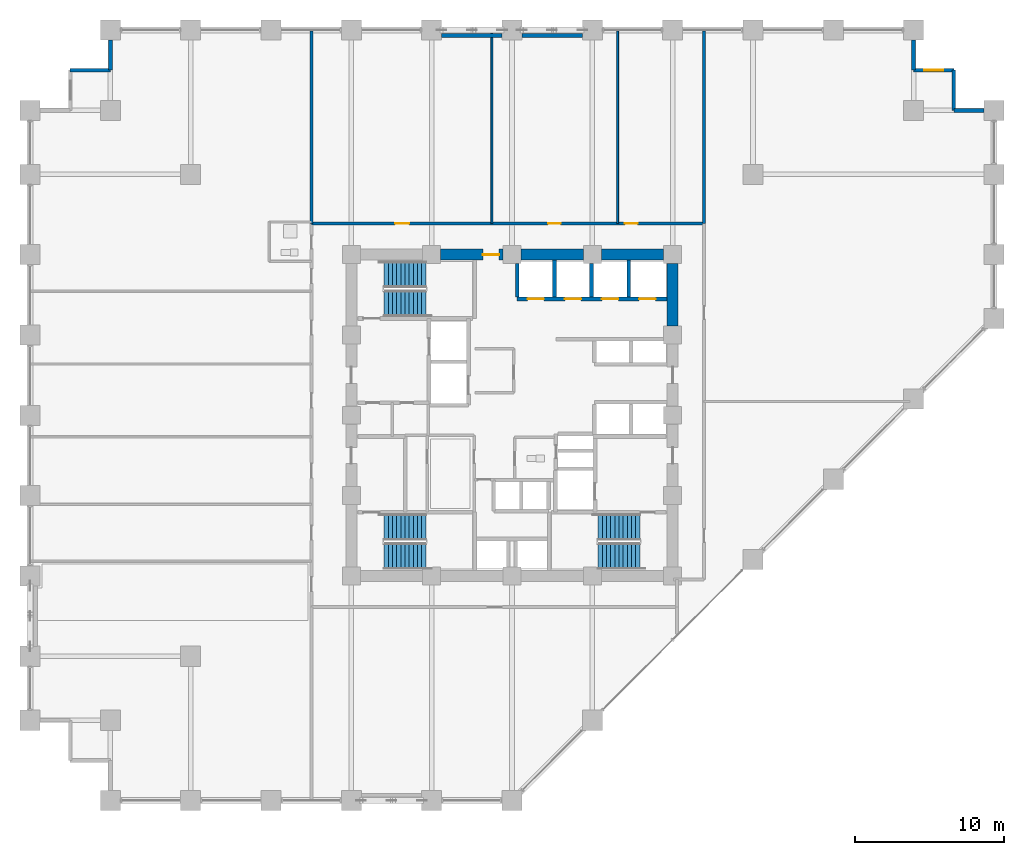
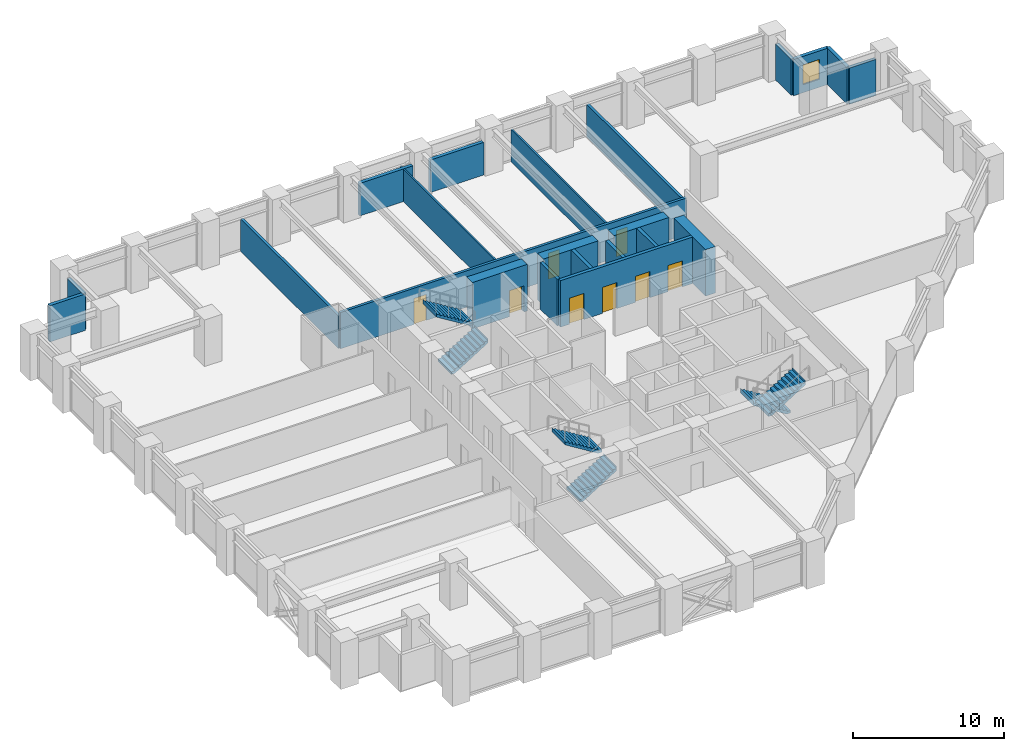
# One storey, part 22 of 25: 22 walls, 8 doors, 6 stair flights, 1 window, 9 openings, 3 elements without a shape of their own.
"""IFC4 building model written with IfcOpenShell, lengths in metres."""

from ifc_helpers import new_model, si_unit, direction, frame, frame_2d, origin, place, context, subcontext, project, spatial, polyline, rectangle, outline, extrude, material, layer, layer_set, type_object, element, fill, aggregate, save


model = new_model("IFC4")

# Units and contexts
model_context = context("Model", 3, precision=1e-05, world=origin(), true_north=direction((0.0, 1.0)))
body_context = subcontext(model_context, "Body", "Model", "MODEL_VIEW")
ifc_project = project(units=[si_unit("LENGTHUNIT", "METRE"), si_unit("AREAUNIT", "SQUARE_METRE"), si_unit("VOLUMEUNIT", "CUBIC_METRE"), si_unit("PLANEANGLEUNIT", "RADIAN"), si_unit("MASSUNIT", "GRAM", prefix="KILO")], contexts=[model_context])

# Site, building, storey
site_placement = place(None, origin())
site = spatial("IfcSite", under=ifc_project, at=site_placement, CompositionType="ELEMENT")
building_placement = place(site_placement, origin())
building = spatial("IfcBuilding", under=site, at=building_placement, Name="Surkhivell Harbour Commons", CompositionType="ELEMENT")
storey_placement = place(building_placement, frame((0.0, 0.0, 37.5)))
storey = spatial("IfcBuildingStorey", under=building, at=storey_placement, Name="L09", CompositionType="ELEMENT", Elevation=37.5)

# Wall, opening, door
ifc_material_1 = material(Name="Concrete C60/75", Category="concrete")
ifc_layer_1 = layer(ifc_material_1, 0.75)
ifc_layer_set_1 = layer_set([ifc_layer_1], Name="Concrete C60/75")
wall_type_1 = type_object("IfcWallType", Name="WAL-CORE-750", PredefinedType="SHEAR", material=ifc_layer_set_1)
wall_1_placement = place(storey_placement, frame((-4.7900390625, 10.800048828125, 0.0), z_axis=(0.0, 0.0, 1.0), x_axis=(1.0, 0.0, 0.0)))
wall_1 = element("IfcWall", 1, at=wall_1_placement, inside=storey, type_object=wall_type_1, Name="L09 Core Shear Wall North 2", PredefinedType="SHEAR", context=body_context, shape_type="SweptSolid", body=[
    extrude(rectangle(XDim=4.179931640625, YDim=0.75, at=frame_2d((2.08984375, 0.0))), origin(), (0.0, 0.0, 1.0), 3.75),
])
opening_1_placement = place(wall_1_placement, frame((2.830078125, 0.0, 0.0)))
opening_1 = element("IfcOpeningElement", 2, at=opening_1_placement, cuts=wall_1, Name="Opening ID-2", PredefinedType="OPENING", context=body_context, shape_type="SweptSolid", body=[
    extrude(rectangle(XDim=1.10009765625, YDim=2.10009765625, at=frame_2d((0.550048828125, 1.050048828125))), frame((0.0, 0.385009765625, 0.0), z_axis=(0.0, -1.0, 0.0), x_axis=(1.0, 0.0, 0.0)), (0.0, 0.0, 1.0), 0.77001953125),
])
ifc_material_2 = material(Name="Hardwood-veneered fire-rated door leaf", Category="wood")
door_type_1 = type_object("IfcDoorType", Name="DOR-FD60-1100", OperationType="NOTDEFINED", PredefinedType="DOOR", material=ifc_material_2)
door_1_placement = place(opening_1_placement, origin())
door_1 = element("IfcDoor", 3, at=door_1_placement, inside=storey, type_object=door_type_1, Name="L09 Central Core Lift Hall North Corridor Door", OperationType="SINGLE_SWING_LEFT", OverallHeight=2.10009765625, OverallWidth=1.10009765625, PredefinedType="DOOR", context=body_context, shape_type="SweptSolid", body=[
    extrude(rectangle(XDim=1.10009765625, YDim=2.10009765625, at=frame_2d((0.550048828125, 1.050048828125))), frame((0.0, 0.02490234375, 0.0), z_axis=(0.0, -1.0, 0.0), x_axis=(1.0, 0.0, 0.0)), (0.0, 0.0, 1.0), 0.050048828125),
])
fill(opening_1, door_1)

# Walls
for number, where, z_axis, x_axis, name in (
    (4, (0.610107421875, 10.800048828125, 0.0), (0.0, 0.0, 1.0), (1.0, 0.0, 0.0), "L09 Core Shear Wall North 3"),
    (5, (6.010009765625, 10.800048828125, 0.0), (0.0, 0.0, 1.0), (1.0, 0.0, 0.0), "L09 Core Shear Wall North 4"),
    (6, (10.800048828125, 6.010009765625, 0.0), (0.0, 0.0, 1.0), (0.0, 1.0, 0.0), "L09 Core Shear Wall East 4"),
):
    element("IfcWall", number, at=place(storey_placement, frame(where, z_axis=z_axis, x_axis=x_axis)), inside=storey, type_object=wall_type_1, Name=name, PredefinedType="SHEAR", context=body_context, shape_type="SweptSolid", body=[
        extrude(rectangle(XDim=4.179931640625, YDim=0.75, at=frame_2d((2.08984375, 0.0))), origin(), (0.0, 0.0, 1.0), 3.75),
    ])
ifc_material_3 = material(Name="Pale-metal insulated precast concrete C45/55", Category="concrete")
ifc_layer_2 = layer(ifc_material_3, 0.260009765625)
ifc_layer_set_2 = layer_set([ifc_layer_2], Name="Pale-metal insulated precast concrete C45/55")
wall_type_2 = type_object("IfcWallType", Name="WAL-EXT-MTL260", PredefinedType="STANDARD", material=ifc_layer_set_2)
wall_2_placement = place(storey_placement, frame((31.72705078125, 20.5, 0.0), z_axis=(0.0, 0.0, 1.0), x_axis=(-1.0, 0.0, 0.0)))
element("IfcWall", 7, at=wall_2_placement, inside=storey, type_object=wall_type_2, Name="L09 Serrated Corner Facade Wall 03", PredefinedType="STANDARD", context=body_context, shape_type="SweptSolid", body=[
    extrude(rectangle(XDim=2.027099609375, YDim=0.260009765625, at=frame_2d((1.013671875, 0.0))), origin(), (0.0, 0.0, 1.0), 2.929931640625),
])
wall_3_placement = place(storey_placement, frame((29.699951171875, 20.5, 0.0), z_axis=(0.0, 0.0, 1.0), x_axis=(0.0, 1.0, 0.0)))
element("IfcWall", 8, at=wall_3_placement, inside=storey, type_object=wall_type_2, Name="L09 Serrated Corner Facade Wall 04", PredefinedType="STANDARD", context=body_context, shape_type="SweptSolid", body=[
    extrude(rectangle(XDim=2.699951171875, YDim=0.260009765625, at=frame_2d((1.35009765625, 0.0))), origin(), (0.0, 0.0, 1.0), 2.929931640625),
])

# Wall, opening, window
wall_4_placement = place(storey_placement, frame((29.699951171875, 23.199951171875, 0.0), z_axis=(0.0, 0.0, 1.0), x_axis=(-1.0, 0.0, 0.0)))
wall_4 = element("IfcWall", 9, at=wall_4_placement, inside=storey, type_object=wall_type_2, Name="L09 Serrated Corner Facade Wall 05", PredefinedType="STANDARD", context=body_context, shape_type="SweptSolid", body=[
    extrude(rectangle(XDim=2.699951171875, YDim=0.260009765625, at=frame_2d((1.35009765625, 0.0))), origin(), (0.0, 0.0, 1.0), 2.929931640625),
])
opening_2_placement = place(wall_4_placement, frame((0.72509765625, 0.0, 0.64990234375)))
opening_2 = element("IfcOpeningElement", 10, at=opening_2_placement, cuts=wall_4, Name="Opening WN-09", PredefinedType="OPENING", context=body_context, shape_type="SweptSolid", body=[
    extrude(rectangle(XDim=1.25, YDim=1.60009765625, at=frame_2d((0.625, 0.800048828125))), frame((0.0, 0.139892578125, 0.0), z_axis=(0.0, -1.0, 0.0), x_axis=(1.0, 0.0, 0.0)), (0.0, 0.0, 1.0), 0.280029296875),
])
ifc_material_4 = material(Name="Thermal-break aluminium frame and double low-E glazing", Category="aluminium")
window_type = type_object("IfcWindowType", Name="WIN-SER-1250x1600", PartitioningType="SINGLE_PANEL", PredefinedType="WINDOW", material=ifc_material_4)
window_placement = place(opening_2_placement, origin())
window = element("IfcWindow", 11, at=window_placement, inside=storey, type_object=window_type, Name="L09 Serrated Alcove Window 05", OverallHeight=1.60009765625, OverallWidth=1.25, PartitioningType="SINGLE_PANEL", PredefinedType="WINDOW", context=body_context, shape_type="SweptSolid", body=[
    extrude(rectangle(XDim=1.25, YDim=1.60009765625, at=frame_2d((0.625, 0.800048828125))), frame((0.0, 0.030029296875, 0.0), z_axis=(0.0, -1.0, 0.0), x_axis=(1.0, 0.0, 0.0)), (0.0, 0.0, 1.0), 0.06005859375),
])
fill(opening_2, window)

# Walls
wall_5_placement = place(storey_placement, frame((27.0, 23.199951171875, 0.0), z_axis=(0.0, 0.0, 1.0), x_axis=(0.0, 1.0, 0.0)))
element("IfcWall", 12, at=wall_5_placement, inside=storey, type_object=wall_type_2, Name="L09 Serrated Corner Facade Wall 06", PredefinedType="STANDARD", context=body_context, shape_type="SweptSolid", body=[
    extrude(rectangle(XDim=2.027099609375, YDim=0.260009765625, at=frame_2d((1.013671875, 0.0))), origin(), (0.0, 0.0, 1.0), 2.929931640625),
])
for number, where, z_axis, x_axis, name in (
    (13, (-0.673095703125, 25.5400390625, 0.0), (0.0, 0.0, 1.0), (-1.0, 0.0, 0.0), "L09 Braced-Bay Insulated Spandrel Backing N"),
    (14, (4.72705078125, 25.5400390625, 0.0), (0.0, 0.0, 1.0), (-1.0, 0.0, 0.0), "L09 Braced-Bay Insulated Spandrel Backing N2"),
):
    element("IfcWall", number, at=place(storey_placement, frame(where, z_axis=z_axis, x_axis=x_axis)), inside=storey, type_object=wall_type_2, Name=name, PredefinedType="STANDARD", context=body_context, shape_type="SweptSolid", body=[
        extrude(rectangle(XDim=4.053955078125, YDim=0.260009765625, at=frame_2d((2.02685546875, 0.0))), origin(), (0.0, 0.0, 1.0), 2.62890625),
    ])
wall_6_placement = place(storey_placement, frame((-27.0, 25.22705078125, 0.0), z_axis=(0.0, 0.0, 1.0), x_axis=(0.0, -1.0, 0.0)))
element("IfcWall", 15, at=wall_6_placement, inside=storey, type_object=wall_type_2, Name="L09 Serrated Corner Facade Wall 08", PredefinedType="STANDARD", context=body_context, shape_type="SweptSolid", body=[
    extrude(rectangle(XDim=2.027099609375, YDim=0.260009765625, at=frame_2d((1.013671875, 0.0))), origin(), (0.0, 0.0, 1.0), 2.929931640625),
])
wall_7_placement = place(storey_placement, frame((-27.0, 23.199951171875, 0.0), z_axis=(0.0, 0.0, 1.0), x_axis=(-1.0, 0.0, 0.0)))
element("IfcWall", 16, at=wall_7_placement, inside=storey, type_object=wall_type_2, Name="L09 Serrated Corner Facade Wall 09", PredefinedType="STANDARD", context=body_context, shape_type="SweptSolid", body=[
    extrude(rectangle(XDim=2.699951171875, YDim=0.260009765625, at=frame_2d((1.35009765625, 0.0))), origin(), (0.0, 0.0, 1.0), 2.929931640625),
])
ifc_material_5 = material(Name="Moisture-resistant acoustic stud partition", Category="other")
ifc_layer_3 = layer(ifc_material_5, 0.125)
ifc_layer_set_3 = layer_set([ifc_layer_3], Name="Moisture-resistant acoustic stud partition")
wall_type_3 = type_object("IfcWallType", Name="WAL-INT-125", PredefinedType="PARTITIONING", material=ifc_layer_set_3)
for number, where, z_axis, x_axis, name in (
    (17, (-1.35009765625, 12.89990234375, 0.0), (0.0, 0.0, 1.0), (0.0, 1.0, 0.0), "L09 North Partition P1"),
    (18, (7.10009765625, 12.89990234375, 0.0), (0.0, 0.0, 1.0), (0.0, 1.0, 0.0), "L09 North Partition P2"),
):
    element("IfcWall", number, at=place(storey_placement, frame(where, z_axis=z_axis, x_axis=x_axis)), inside=storey, type_object=wall_type_3, Name=name, PredefinedType="PARTITIONING", context=body_context, shape_type="SweptSolid", body=[
        extrude(rectangle(XDim=12.940185546875, YDim=0.125, at=frame_2d((6.47021484375, 0.0))), origin(), (0.0, 0.0, 1.0), 2.62890625),
    ])
ifc_material_6 = material(Name="Autoclaved aerated concrete blockwork and fire plaster", Category="masonry")
ifc_layer_4 = layer(ifc_material_6, 0.199951171875)
ifc_layer_set_4 = layer_set([ifc_layer_4], Name="Autoclaved aerated concrete blockwork and fire plaster")
wall_type_4 = type_object("IfcWallType", Name="WAL-INT-200", PredefinedType="PARTITIONING", material=ifc_layer_set_4)
for number, where, z_axis, x_axis, name in (
    (19, (12.89990234375, 12.89990234375, 0.0), (0.0, 0.0, 1.0), (0.0, 1.0, 0.0), "L09 North-East Wing Corner Divider"),
    (20, (-13.47998046875, 12.89990234375, 0.0), (0.0, 0.0, 1.0), (0.0, 1.0, 0.0), "L09 North-West Wing Corner Divider"),
):
    element("IfcWall", number, at=place(storey_placement, frame(where, z_axis=z_axis, x_axis=x_axis)), inside=storey, type_object=wall_type_4, Name=name, PredefinedType="PARTITIONING", context=body_context, shape_type="SweptSolid", body=[
        extrude(rectangle(XDim=12.940185546875, YDim=0.199951171875, at=frame_2d((6.47021484375, 0.0))), origin(), (0.0, 0.0, 1.0), 2.62890625),
    ])

# Wall, openings, doors
wall_8_placement = place(storey_placement, frame((-13.47998046875, 12.89990234375, 0.0), z_axis=(0.0, 0.0, 1.0), x_axis=(1.0, 0.0, 0.0)))
wall_8 = element("IfcWall", 21, at=wall_8_placement, inside=storey, type_object=wall_type_4, Name="L09 Corridor North Wall", PredefinedType="PARTITIONING", context=body_context, shape_type="SweptSolid", body=[
    extrude(rectangle(XDim=26.3798828125, YDim=0.199951171875, at=frame_2d((13.18994140625, 0.0))), origin(), (0.0, 0.0, 1.0), 2.929931640625),
])
opening_3_placement = place(wall_8_placement, frame((5.614990234375, 0.0, 0.0)))
opening_3 = element("IfcOpeningElement", 22, at=opening_3_placement, cuts=wall_8, Name="Opening ID-4", PredefinedType="OPENING", context=body_context, shape_type="SweptSolid", body=[
    extrude(rectangle(XDim=0.949951171875, YDim=2.10009765625, at=frame_2d((0.47509765625, 1.050048828125))), frame((0.0, 0.10986328125, 0.0), z_axis=(0.0, -1.0, 0.0), x_axis=(1.0, 0.0, 0.0)), (0.0, 0.0, 1.0), 0.219970703125),
])
opening_4_placement = place(wall_8_placement, frame((15.905029296875, 0.0, 0.0)))
opening_4 = element("IfcOpeningElement", 23, at=opening_4_placement, cuts=wall_8, Name="Opening ID-6", PredefinedType="OPENING", context=body_context, shape_type="SweptSolid", body=[
    extrude(rectangle(XDim=0.85009765625, YDim=2.10009765625, at=frame_2d((0.425048828125, 1.050048828125))), frame((0.0, 0.10986328125, 0.0), z_axis=(0.0, -1.0, 0.0), x_axis=(1.0, 0.0, 0.0)), (0.0, 0.0, 1.0), 0.219970703125),
])
opening_5_placement = place(wall_8_placement, frame((21.069091796875, 0.0, 0.0)))
opening_5 = element("IfcOpeningElement", 24, at=opening_5_placement, cuts=wall_8, Name="Opening ID-6", PredefinedType="OPENING", context=body_context, shape_type="SweptSolid", body=[
    extrude(rectangle(XDim=0.85009765625, YDim=2.10009765625, at=frame_2d((0.425048828125, 1.050048828125))), frame((0.0, 0.10986328125, 0.0), z_axis=(0.0, -1.0, 0.0), x_axis=(1.0, 0.0, 0.0)), (0.0, 0.0, 1.0), 0.219970703125),
])
door_type_2 = type_object("IfcDoorType", Name="DOR-FD30-850", OperationType="NOTDEFINED", PredefinedType="DOOR", material=ifc_material_2)
door_2_placement = place(opening_4_placement, origin())
door_2 = element("IfcDoor", 25, at=door_2_placement, inside=storey, type_object=door_type_2, Name="L09 Harbour Social Lounge North Door", OperationType="SINGLE_SWING_LEFT", OverallHeight=2.10009765625, OverallWidth=0.85009765625, PredefinedType="DOOR", context=body_context, shape_type="SweptSolid", body=[
    extrude(rectangle(XDim=0.85009765625, YDim=2.10009765625, at=frame_2d((0.425048828125, 1.050048828125))), frame((0.0, 0.02490234375, 0.0), z_axis=(0.0, -1.0, 0.0), x_axis=(1.0, 0.0, 0.0)), (0.0, 0.0, 1.0), 0.050048828125),
])
fill(opening_4, door_2)
door_3_placement = place(opening_5_placement, origin())
door_3 = element("IfcDoor", 26, at=door_3_placement, inside=storey, type_object=door_type_2, Name="L09 Resident Social Lounge 3 North Door", OperationType="SINGLE_SWING_RIGHT", OverallHeight=2.10009765625, OverallWidth=0.85009765625, PredefinedType="DOOR", context=body_context, shape_type="SweptSolid", body=[
    extrude(rectangle(XDim=0.85009765625, YDim=2.10009765625, at=frame_2d((0.425048828125, 1.050048828125))), frame((0.0, 0.02490234375, 0.0), z_axis=(0.0, -1.0, 0.0), x_axis=(1.0, 0.0, 0.0)), (0.0, 0.0, 1.0), 0.050048828125),
])
fill(opening_5, door_3)
door_type_3 = type_object("IfcDoorType", Name="DOR-FD60-950", OperationType="NOTDEFINED", PredefinedType="DOOR", material=ifc_material_2)
door_4_placement = place(opening_3_placement, origin())
door_4 = element("IfcDoor", 27, at=door_4_placement, inside=storey, type_object=door_type_3, Name="L09 Harbour Social Lounge North Door", OperationType="SINGLE_SWING_RIGHT", OverallHeight=2.10009765625, OverallWidth=0.949951171875, PredefinedType="DOOR", context=body_context, shape_type="SweptSolid", body=[
    extrude(rectangle(XDim=0.949951171875, YDim=2.10009765625, at=frame_2d((0.47509765625, 1.050048828125))), frame((0.0, 0.02490234375, 0.0), z_axis=(0.0, -1.0, 0.0), x_axis=(1.0, 0.0, 0.0)), (0.0, 0.0, 1.0), 0.050048828125),
])
fill(opening_3, door_4)

# Walls
ifc_material_7 = material(Name="Concrete C50/60", Category="concrete")
ifc_layer_5 = layer(ifc_material_7, 0.25)
ifc_layer_set_5 = layer_set([ifc_layer_5], Name="Concrete C50/60")
wall_type_5 = type_object("IfcWallType", Name="WAL-SHAFT-250", PredefinedType="SHEAR", material=ifc_layer_set_5)
wall_9_placement = place(storey_placement, frame((2.85009765625, 7.93994140625, 0.0), z_axis=(0.0, 0.0, 1.0), x_axis=(0.0, 1.0, 0.0)))
element("IfcWall", 28, at=wall_9_placement, inside=storey, type_object=wall_type_5, Name="L09 Low-Rise Hoistway Wall", PredefinedType="SHEAR", context=body_context, shape_type="SweptSolid", body=[
    extrude(rectangle(XDim=2.485107421875, YDim=0.25, at=frame_2d((1.24267578125, 0.0))), origin(), (0.0, 0.0, 1.0), 3.75),
])
for number, where, z_axis, x_axis, name in (
    (29, (0.35009765625, 7.93994140625, 0.0), (0.0, 0.0, 1.0), (0.0, 1.0, 0.0), "L09 Low-Rise Hoistway Wall"),
    (30, (5.35009765625, 7.93994140625, 0.0), (0.0, 0.0, 1.0), (0.0, 1.0, 0.0), "L09 Low-Rise Hoistway Wall"),
):
    element("IfcWall", number, at=place(storey_placement, frame(where, z_axis=z_axis, x_axis=x_axis)), inside=storey, type_object=wall_type_5, Name=name, PredefinedType="SHEAR", context=body_context, shape_type="SweptSolid", body=[
        extrude(rectangle(XDim=2.260009765625, YDim=0.25, at=frame_2d((1.1298828125, 0.0))), origin(), (0.0, 0.0, 1.0), 3.75),
    ])
wall_10_placement = place(storey_placement, frame((7.85009765625, 7.93994140625, 0.0), z_axis=(0.0, 0.0, 1.0), x_axis=(0.0, 1.0, 0.0)))
element("IfcWall", 31, at=wall_10_placement, inside=storey, type_object=wall_type_5, Name="L09 Low-Rise Hoistway Wall", PredefinedType="SHEAR", context=body_context, shape_type="SweptSolid", body=[
    extrude(rectangle(XDim=2.485107421875, YDim=0.25, at=frame_2d((1.24267578125, 0.0))), origin(), (0.0, 0.0, 1.0), 3.75),
])

# Wall, openings, doors
wall_11_placement = place(storey_placement, frame((0.35009765625, 7.820068359375, 0.0), z_axis=(0.0, 0.0, 1.0), x_axis=(1.0, 0.0, 0.0)))
wall_11 = element("IfcWall", 32, at=wall_11_placement, inside=storey, type_object=wall_type_5, Name="L09 Low-Rise Lift Front Shaft Wall", PredefinedType="SHEAR", context=body_context, shape_type="SweptSolid", body=[
    extrude(rectangle(XDim=10.074951171875, YDim=0.25, at=frame_2d((5.03759765625, 0.0))), origin(), (0.0, 0.0, 1.0), 3.75),
])
opening_6_placement = place(wall_11_placement, frame((0.699951171875, 0.0, 0.0)))
opening_6 = element("IfcOpeningElement", 33, at=opening_6_placement, cuts=wall_11, Name="Opening LD-1", PredefinedType="OPENING", context=body_context, shape_type="SweptSolid", body=[
    extrude(rectangle(XDim=1.10009765625, YDim=2.10009765625, at=frame_2d((0.550048828125, 1.050048828125))), frame((0.0, 0.135009765625, 0.0), z_axis=(0.0, -1.0, 0.0), x_axis=(1.0, 0.0, 0.0)), (0.0, 0.0, 1.0), 0.27001953125),
])
opening_7_placement = place(wall_11_placement, frame((3.199951171875, 0.0, 0.0)))
opening_7 = element("IfcOpeningElement", 34, at=opening_7_placement, cuts=wall_11, Name="Opening LD-1", PredefinedType="OPENING", context=body_context, shape_type="SweptSolid", body=[
    extrude(rectangle(XDim=1.10009765625, YDim=2.10009765625, at=frame_2d((0.550048828125, 1.050048828125))), frame((0.0, 0.135009765625, 0.0), z_axis=(0.0, -1.0, 0.0), x_axis=(1.0, 0.0, 0.0)), (0.0, 0.0, 1.0), 0.27001953125),
])
opening_8_placement = place(wall_11_placement, frame((5.699951171875, 0.0, 0.0)))
opening_8 = element("IfcOpeningElement", 35, at=opening_8_placement, cuts=wall_11, Name="Opening LD-1", PredefinedType="OPENING", context=body_context, shape_type="SweptSolid", body=[
    extrude(rectangle(XDim=1.10009765625, YDim=2.10009765625, at=frame_2d((0.550048828125, 1.050048828125))), frame((0.0, 0.135009765625, 0.0), z_axis=(0.0, -1.0, 0.0), x_axis=(1.0, 0.0, 0.0)), (0.0, 0.0, 1.0), 0.27001953125),
])
opening_9_placement = place(wall_11_placement, frame((8.199951171875, 0.0, 0.0)))
opening_9 = element("IfcOpeningElement", 36, at=opening_9_placement, cuts=wall_11, Name="Opening LD-1", PredefinedType="OPENING", context=body_context, shape_type="SweptSolid", body=[
    extrude(rectangle(XDim=1.10009765625, YDim=2.10009765625, at=frame_2d((0.550048828125, 1.050048828125))), frame((0.0, 0.135009765625, 0.0), z_axis=(0.0, -1.0, 0.0), x_axis=(1.0, 0.0, 0.0)), (0.0, 0.0, 1.0), 0.27001953125),
])
ifc_material_8 = material(Name="Brushed stainless steel S355", Category="steel")
door_type_4 = type_object("IfcDoorType", Name="DOR-LD-1100", OperationType="SLIDING_TO_LEFT", PredefinedType="DOOR", material=ifc_material_8)
door_5_placement = place(opening_6_placement, origin())
door_5 = element("IfcDoor", 37, at=door_5_placement, inside=storey, type_object=door_type_4, Name="L09 Lift Landing Door LD-PL1", OperationType="SLIDING_TO_LEFT", OverallHeight=2.10009765625, OverallWidth=1.10009765625, PredefinedType="DOOR", context=body_context, shape_type="SweptSolid", body=[
    extrude(rectangle(XDim=1.10009765625, YDim=2.10009765625, at=frame_2d((0.550048828125, 1.050048828125))), frame((0.0, 0.02490234375, 0.0), z_axis=(0.0, -1.0, 0.0), x_axis=(1.0, 0.0, 0.0)), (0.0, 0.0, 1.0), 0.050048828125),
])
fill(opening_6, door_5)
door_6_placement = place(opening_7_placement, origin())
door_6 = element("IfcDoor", 38, at=door_6_placement, inside=storey, type_object=door_type_4, Name="L09 Lift Landing Door LD-PL2", OperationType="SLIDING_TO_LEFT", OverallHeight=2.10009765625, OverallWidth=1.10009765625, PredefinedType="DOOR", context=body_context, shape_type="SweptSolid", body=[
    extrude(rectangle(XDim=1.10009765625, YDim=2.10009765625, at=frame_2d((0.550048828125, 1.050048828125))), frame((0.0, 0.02490234375, 0.0), z_axis=(0.0, -1.0, 0.0), x_axis=(1.0, 0.0, 0.0)), (0.0, 0.0, 1.0), 0.050048828125),
])
fill(opening_7, door_6)
door_7_placement = place(opening_8_placement, origin())
door_7 = element("IfcDoor", 39, at=door_7_placement, inside=storey, type_object=door_type_4, Name="L09 Lift Landing Door LD-PL3", OperationType="SLIDING_TO_LEFT", OverallHeight=2.10009765625, OverallWidth=1.10009765625, PredefinedType="DOOR", context=body_context, shape_type="SweptSolid", body=[
    extrude(rectangle(XDim=1.10009765625, YDim=2.10009765625, at=frame_2d((0.550048828125, 1.050048828125))), frame((0.0, 0.02490234375, 0.0), z_axis=(0.0, -1.0, 0.0), x_axis=(1.0, 0.0, 0.0)), (0.0, 0.0, 1.0), 0.050048828125),
])
fill(opening_8, door_7)
door_8_placement = place(opening_9_placement, origin())
door_8 = element("IfcDoor", 40, at=door_8_placement, inside=storey, type_object=door_type_4, Name="L09 Lift Landing Door LD-PL4", OperationType="SLIDING_TO_LEFT", OverallHeight=2.10009765625, OverallWidth=1.10009765625, PredefinedType="DOOR", context=body_context, shape_type="SweptSolid", body=[
    extrude(rectangle(XDim=1.10009765625, YDim=2.10009765625, at=frame_2d((0.550048828125, 1.050048828125))), frame((0.0, 0.02490234375, 0.0), z_axis=(0.0, -1.0, 0.0), x_axis=(1.0, 0.0, 0.0)), (0.0, 0.0, 1.0), 0.050048828125),
])
fill(opening_9, door_8)

# Stair, stair flights
ifc_material_9 = material(Name="Precast concrete C45/55", Category="concrete")
stair_type = type_object("IfcStairType", Name="STR-DL-375", PredefinedType="HALF_TURN_STAIR", material=ifc_material_9)
stair_1_placement = place(storey_placement, origin())
stair_1 = element("IfcStair", 41, at=stair_1_placement, inside=storey, type_object=stair_type, Name="L09 Core Exit Stair ST1", PredefinedType="HALF_TURN_STAIR")
stair_flight_type = type_object("IfcStairFlightType", Name="STF-DL-375", PredefinedType="STRAIGHT", material=ifc_material_9)
stair_flight_1_placement = place(storey_placement, frame((-8.590087890625, 7.514892578125, 0.0), z_axis=(0.0, 0.0, 1.0), x_axis=(1.0, 0.0, 0.0)))
stair_flight_1 = element("IfcStairFlight", 42, at=stair_flight_1_placement, type_object=stair_flight_type, Name="ST1 flight 1", NumberOfRisers=11, NumberOfTreads=10, PredefinedType="STRAIGHT", RiserHeight=0.170454545, TreadLength=0.28, context=body_context, shape_type="SweptSolid", body=[
    extrude(outline(polyline([(-0.0029296875, -0.034912109375), (-0.0029296875, 0.0), (0.0, 0.0), (0.0, 0.17041015625), (0.280029296875, 0.17041015625), (0.280029296875, 0.3408203125), (0.56005859375, 0.3408203125), (0.56005859375, 0.511474609375), (0.840087890625, 0.511474609375), (0.840087890625, 0.681884765625), (1.1201171875, 0.681884765625), (1.1201171875, 0.852294921875), (1.39990234375, 0.852294921875), (1.39990234375, 1.022705078125), (1.679931640625, 1.022705078125), (1.679931640625, 1.193115234375), (1.9599609375, 1.193115234375), (1.9599609375, 1.363525390625), (2.239990234375, 1.363525390625), (2.239990234375, 1.5341796875), (2.52001953125, 1.5341796875), (2.52001953125, 1.70458984375), (2.800048828125, 1.70458984375), (2.800048828125, 1.875), (2.802978515625, 1.875), (2.802978515625, 1.529052734375), (0.288330078125, -0.034912109375), (-0.0029296875, -0.034912109375)])), frame((0.0, 0.875, 0.0), z_axis=(0.0, -1.0, 0.0), x_axis=(1.0, 0.0, 0.0)), (0.0, 0.0, 1.0), 1.75),
])
stair_flight_2_placement = place(storey_placement, frame((-5.7900390625, 9.465087890625, 1.875), z_axis=(0.0, 0.0, 1.0), x_axis=(-1.0, 0.0, 0.0)))
stair_flight_2 = element("IfcStairFlight", 43, at=stair_flight_2_placement, type_object=stair_flight_type, Name="ST1 flight 2", NumberOfRisers=11, NumberOfTreads=10, PredefinedType="STRAIGHT", RiserHeight=0.170454545, TreadLength=0.28, context=body_context, shape_type="SweptSolid", body=[
    extrude(outline(polyline([(-0.0029296875, -0.034912109375), (-0.0029296875, 0.0), (0.0, 0.0), (0.0, 0.17041015625), (0.280029296875, 0.17041015625), (0.280029296875, 0.3408203125), (0.56005859375, 0.3408203125), (0.56005859375, 0.511474609375), (0.840087890625, 0.511474609375), (0.840087890625, 0.681884765625), (1.1201171875, 0.681884765625), (1.1201171875, 0.852294921875), (1.39990234375, 0.852294921875), (1.39990234375, 1.022705078125), (1.679931640625, 1.022705078125), (1.679931640625, 1.193115234375), (1.9599609375, 1.193115234375), (1.9599609375, 1.363525390625), (2.239990234375, 1.363525390625), (2.239990234375, 1.5341796875), (2.52001953125, 1.5341796875), (2.52001953125, 1.70458984375), (2.800048828125, 1.70458984375), (2.800048828125, 1.875), (2.802978515625, 1.875), (2.802978515625, 1.529052734375), (0.288330078125, -0.034912109375), (-0.0029296875, -0.034912109375)])), frame((0.0, 0.875, 0.0), z_axis=(0.0, -1.0, 0.0), x_axis=(1.0, 0.0, 0.0)), (0.0, 0.0, 1.0), 1.75),
])
aggregate(stair_1, [stair_flight_1, stair_flight_2])

stair_2_placement = place(storey_placement, origin())
stair_2 = element("IfcStair", 44, at=stair_2_placement, inside=storey, type_object=stair_type, Name="L09 Core Exit Stair ST2", PredefinedType="HALF_TURN_STAIR")
stair_flight_3_placement = place(storey_placement, frame((8.590087890625, -7.514892578125, 0.0), z_axis=(0.0, 0.0, 1.0), x_axis=(-1.0, 0.0, 0.0)))
stair_flight_3 = element("IfcStairFlight", 45, at=stair_flight_3_placement, type_object=stair_flight_type, Name="ST2 flight 1", NumberOfRisers=11, NumberOfTreads=10, PredefinedType="STRAIGHT", RiserHeight=0.170454545, TreadLength=0.28, context=body_context, shape_type="SweptSolid", body=[
    extrude(outline(polyline([(-0.0029296875, -0.034912109375), (-0.0029296875, 0.0), (0.0, 0.0), (0.0, 0.17041015625), (0.280029296875, 0.17041015625), (0.280029296875, 0.3408203125), (0.56005859375, 0.3408203125), (0.56005859375, 0.511474609375), (0.840087890625, 0.511474609375), (0.840087890625, 0.681884765625), (1.1201171875, 0.681884765625), (1.1201171875, 0.852294921875), (1.39990234375, 0.852294921875), (1.39990234375, 1.022705078125), (1.679931640625, 1.022705078125), (1.679931640625, 1.193115234375), (1.9599609375, 1.193115234375), (1.9599609375, 1.363525390625), (2.239990234375, 1.363525390625), (2.239990234375, 1.5341796875), (2.52001953125, 1.5341796875), (2.52001953125, 1.70458984375), (2.800048828125, 1.70458984375), (2.800048828125, 1.875), (2.802978515625, 1.875), (2.802978515625, 1.529052734375), (0.288330078125, -0.034912109375), (-0.0029296875, -0.034912109375)])), frame((0.0, 0.875, 0.0), z_axis=(0.0, -1.0, 0.0), x_axis=(1.0, 0.0, 0.0)), (0.0, 0.0, 1.0), 1.75),
])
stair_flight_4_placement = place(storey_placement, frame((5.7900390625, -9.465087890625, 1.875), z_axis=(0.0, 0.0, 1.0), x_axis=(1.0, 0.0, 0.0)))
stair_flight_4 = element("IfcStairFlight", 46, at=stair_flight_4_placement, type_object=stair_flight_type, Name="ST2 flight 2", NumberOfRisers=11, NumberOfTreads=10, PredefinedType="STRAIGHT", RiserHeight=0.170454545, TreadLength=0.28, context=body_context, shape_type="SweptSolid", body=[
    extrude(outline(polyline([(-0.0029296875, -0.034912109375), (-0.0029296875, 0.0), (0.0, 0.0), (0.0, 0.17041015625), (0.280029296875, 0.17041015625), (0.280029296875, 0.3408203125), (0.56005859375, 0.3408203125), (0.56005859375, 0.511474609375), (0.840087890625, 0.511474609375), (0.840087890625, 0.681884765625), (1.1201171875, 0.681884765625), (1.1201171875, 0.852294921875), (1.39990234375, 0.852294921875), (1.39990234375, 1.022705078125), (1.679931640625, 1.022705078125), (1.679931640625, 1.193115234375), (1.9599609375, 1.193115234375), (1.9599609375, 1.363525390625), (2.239990234375, 1.363525390625), (2.239990234375, 1.5341796875), (2.52001953125, 1.5341796875), (2.52001953125, 1.70458984375), (2.800048828125, 1.70458984375), (2.800048828125, 1.875), (2.802978515625, 1.875), (2.802978515625, 1.529052734375), (0.288330078125, -0.034912109375), (-0.0029296875, -0.034912109375)])), frame((0.0, 0.875, 0.0), z_axis=(0.0, -1.0, 0.0), x_axis=(1.0, 0.0, 0.0)), (0.0, 0.0, 1.0), 1.75),
])
aggregate(stair_2, [stair_flight_3, stair_flight_4])

stair_3_placement = place(storey_placement, origin())
stair_3 = element("IfcStair", 47, at=stair_3_placement, inside=storey, type_object=stair_type, Name="L09 Core Exit Stair ST3", PredefinedType="HALF_TURN_STAIR")
stair_flight_5_placement = place(storey_placement, frame((-8.590087890625, -9.465087890625, 0.0), z_axis=(0.0, 0.0, 1.0), x_axis=(1.0, 0.0, 0.0)))
stair_flight_5 = element("IfcStairFlight", 48, at=stair_flight_5_placement, type_object=stair_flight_type, Name="ST3 flight 1", NumberOfRisers=11, NumberOfTreads=10, PredefinedType="STRAIGHT", RiserHeight=0.170454545, TreadLength=0.28, context=body_context, shape_type="SweptSolid", body=[
    extrude(outline(polyline([(-0.0029296875, -0.034912109375), (-0.0029296875, 0.0), (0.0, 0.0), (0.0, 0.17041015625), (0.280029296875, 0.17041015625), (0.280029296875, 0.3408203125), (0.56005859375, 0.3408203125), (0.56005859375, 0.511474609375), (0.840087890625, 0.511474609375), (0.840087890625, 0.681884765625), (1.1201171875, 0.681884765625), (1.1201171875, 0.852294921875), (1.39990234375, 0.852294921875), (1.39990234375, 1.022705078125), (1.679931640625, 1.022705078125), (1.679931640625, 1.193115234375), (1.9599609375, 1.193115234375), (1.9599609375, 1.363525390625), (2.239990234375, 1.363525390625), (2.239990234375, 1.5341796875), (2.52001953125, 1.5341796875), (2.52001953125, 1.70458984375), (2.800048828125, 1.70458984375), (2.800048828125, 1.875), (2.802978515625, 1.875), (2.802978515625, 1.529052734375), (0.288330078125, -0.034912109375), (-0.0029296875, -0.034912109375)])), frame((0.0, 0.875, 0.0), z_axis=(0.0, -1.0, 0.0), x_axis=(1.0, 0.0, 0.0)), (0.0, 0.0, 1.0), 1.75),
])
stair_flight_6_placement = place(storey_placement, frame((-5.7900390625, -7.514892578125, 1.875), z_axis=(0.0, 0.0, 1.0), x_axis=(-1.0, 0.0, 0.0)))
stair_flight_6 = element("IfcStairFlight", 49, at=stair_flight_6_placement, type_object=stair_flight_type, Name="ST3 flight 2", NumberOfRisers=11, NumberOfTreads=10, PredefinedType="STRAIGHT", RiserHeight=0.170454545, TreadLength=0.28, context=body_context, shape_type="SweptSolid", body=[
    extrude(outline(polyline([(-0.0029296875, -0.034912109375), (-0.0029296875, 0.0), (0.0, 0.0), (0.0, 0.17041015625), (0.280029296875, 0.17041015625), (0.280029296875, 0.3408203125), (0.56005859375, 0.3408203125), (0.56005859375, 0.511474609375), (0.840087890625, 0.511474609375), (0.840087890625, 0.681884765625), (1.1201171875, 0.681884765625), (1.1201171875, 0.852294921875), (1.39990234375, 0.852294921875), (1.39990234375, 1.022705078125), (1.679931640625, 1.022705078125), (1.679931640625, 1.193115234375), (1.9599609375, 1.193115234375), (1.9599609375, 1.363525390625), (2.239990234375, 1.363525390625), (2.239990234375, 1.5341796875), (2.52001953125, 1.5341796875), (2.52001953125, 1.70458984375), (2.800048828125, 1.70458984375), (2.800048828125, 1.875), (2.802978515625, 1.875), (2.802978515625, 1.529052734375), (0.288330078125, -0.034912109375), (-0.0029296875, -0.034912109375)])), frame((0.0, 0.875, 0.0), z_axis=(0.0, -1.0, 0.0), x_axis=(1.0, 0.0, 0.0)), (0.0, 0.0, 1.0), 1.75),
])
aggregate(stair_3, [stair_flight_5, stair_flight_6])

save(model, "model.ifc")
